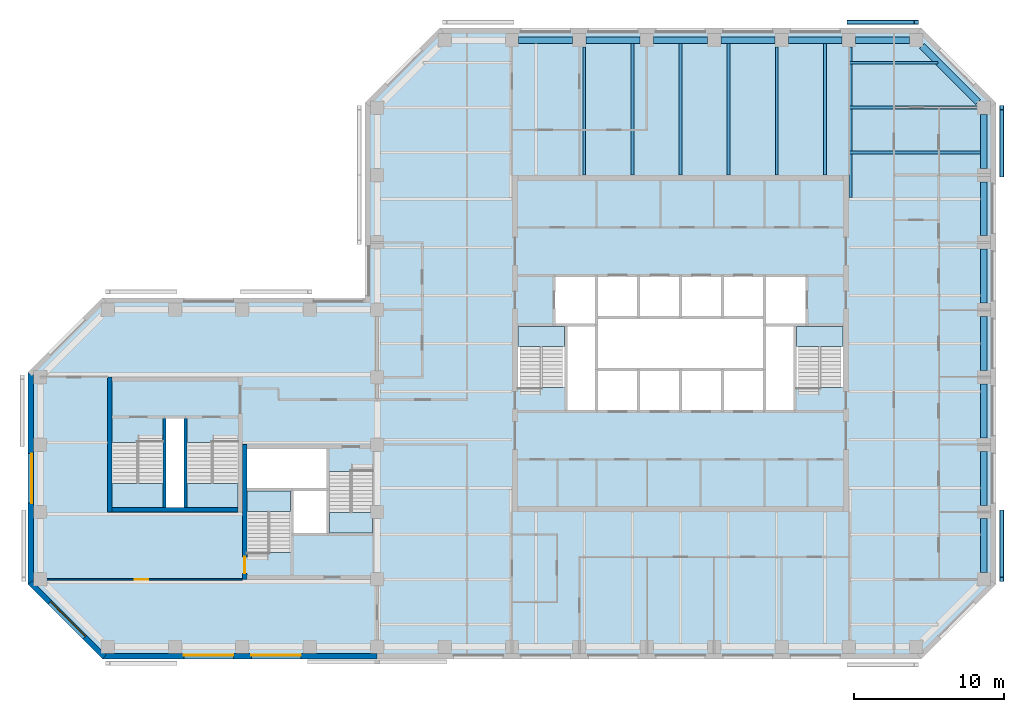
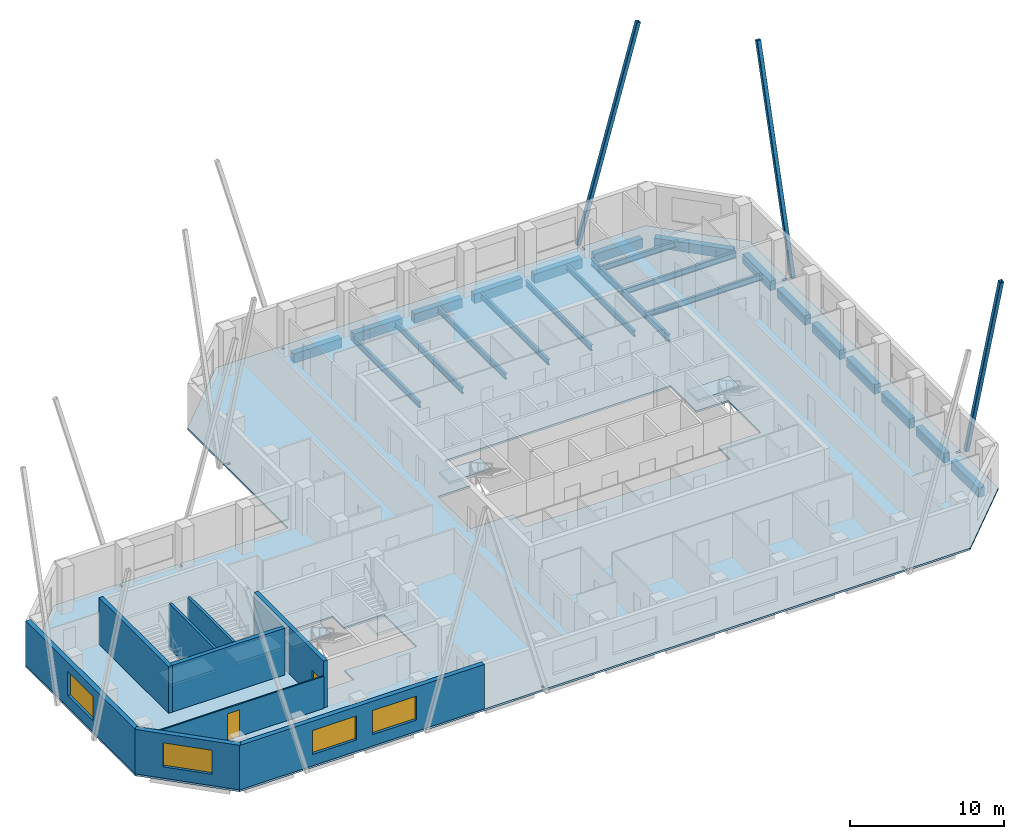
# One storey, part 2 of 9: 24 beams, 9 walls, 7 slabs, 4 windows, 3 members, 2 doors, 6 openings, 6 elements without a shape of their own.
"""IFC4 building model written with IfcOpenShell, lengths in metres."""

import ifcopenshell
import ifcopenshell.guid

model = None  # the IFC model being written
_history = None  # IfcOwnerHistory: only IFC2X3 demands one
_inside = {}  # id of a spatial element -> (the spatial element, [elements in it])
_under = {}  # id of a project, library or spatial element -> (it, [spatial elements below it])
_declared = {}  # id of a project -> (the project, [libraries it declares])
_typed = {}  # id of a type object -> (the type object, [elements of that type])
_made_of = {}  # id of a material, layer set ... -> (it, [elements and type objects made of it])


def new_model(schema):
    """Start an empty IFC model of exactly this schema.

    Asked for "IFC4X3", IfcOpenShell would pick the latest addendum, in which some entities
    have other attributes; the version numbers below select the first issue.
    IFC2X3 requires an IfcOwnerHistory on every rooted entity: one is made here for all.
    """
    global model, _history
    if schema == "IFC4X3":
        model = ifcopenshell.file(schema_version=(4, 3, 0, 0))
    else:
        model = ifcopenshell.file(schema=schema)
    _inside.clear()
    _under.clear()
    _declared.clear()
    _typed.clear()
    _made_of.clear()
    _history = None
    if model.schema == "IFC2X3":
        org = make("IfcOrganization", Name="unknown")
        user = make(
            "IfcPersonAndOrganization",
            ThePerson=make("IfcPerson", FamilyName="unknown"),
            TheOrganization=org,
        )
        app = make(
            "IfcApplication",
            ApplicationDeveloper=org,
            Version="unknown",
            ApplicationFullName="unknown",
            ApplicationIdentifier="unknown",
        )
        _history = make(
            "IfcOwnerHistory",
            OwningUser=user,
            OwningApplication=app,
            ChangeAction="ADDED",
            CreationDate=0,
        )
    return model


def make(cls, **values):
    """One entity of the class cls with the attributes given. An attribute that is None is left unset."""
    return model.create_entity(
        cls, **{name: value for name, value in values.items() if value is not None}
    )


def rooted(cls, **values):
    """An entity with a GlobalId (a new one), such as an element, a storey or a relation."""
    return make(cls, GlobalId=ifcopenshell.guid.new(), OwnerHistory=_history, **values)


def si_unit(unit_type, name, prefix=None):
    """IfcSIUnit, for example si_unit("LENGTHUNIT", "METRE", prefix="MILLI")."""
    return make("IfcSIUnit", UnitType=unit_type, Prefix=prefix, Name=name)


def assignment(units):
    """IfcUnitAssignment: the units of a project."""
    return None if units is None else make("IfcUnitAssignment", Units=units)


def point(xyz):
    """IfcCartesianPoint."""
    return None if xyz is None else make("IfcCartesianPoint", Coordinates=xyz)


def direction(xyz):
    """IfcDirection."""
    return None if xyz is None else make("IfcDirection", DirectionRatios=xyz)


def frame(location, z_axis=None, x_axis=None):
    """IfcAxis2Placement3D, a coordinate frame: its origin and axes. An axis left out is left unset."""
    return make(
        "IfcAxis2Placement3D",
        Location=point(location),
        Axis=direction(z_axis),
        RefDirection=direction(x_axis),
    )


def frame_2d(location, x_axis=None):
    """IfcAxis2Placement2D, a coordinate frame in the plane: its origin and x axis."""
    return make(
        "IfcAxis2Placement2D", Location=point(location), RefDirection=direction(x_axis)
    )


def origin():
    """The frame at (0, 0, 0) with its axes left unset."""
    return frame((0.0, 0.0, 0.0))


def origin_2d():
    """The frame at (0, 0) in the plane with its x axis left unset."""
    return frame_2d((0.0, 0.0))


def place(relative_to, where):
    """IfcLocalPlacement: puts the frame where relative to a parent placement (None: the world)."""
    return make(
        "IfcLocalPlacement", PlacementRelTo=relative_to, RelativePlacement=where
    )


def context(
    kind, dimensions, precision=None, world=None, true_north=None, identifier=None
):
    """IfcGeometricRepresentationContext, for example the 3D "Model" context."""
    return make(
        "IfcGeometricRepresentationContext",
        ContextIdentifier=identifier,
        ContextType=kind,
        CoordinateSpaceDimension=dimensions,
        Precision=precision,
        WorldCoordinateSystem=world,
        TrueNorth=true_north,
    )


def subcontext(parent, identifier, kind, view, scale=None):
    """IfcGeometricRepresentationSubContext, for example "Body" below "Model"."""
    return make(
        "IfcGeometricRepresentationSubContext",
        ContextIdentifier=identifier,
        ContextType=kind,
        ParentContext=parent,
        TargetScale=scale,
        TargetView=view,
    )


def project(units=None, contexts=None):
    """IfcProject with its units and contexts."""
    return rooted(
        "IfcProject",
        Name="project",
        RepresentationContexts=contexts,
        UnitsInContext=assignment(units),
    )


def spatial(cls, under=None, at=None, **own):
    """A site, building, storey or space (cls), placed at a placement, below another one or the project."""
    s = rooted(cls, ObjectPlacement=at, **own)
    if under is not None:
        _under.setdefault(under.id(), (under, []))[1].append(s)
    return s


def polyline(points):
    """IfcPolyline through the points."""
    return make("IfcPolyline", Points=[point(p) for p in points])


def profile(cls, at=None, kind="AREA", **sizes):
    """A parametric profile (cls). Its sizes go by their IFC names, for example OverallWidth=200.0."""
    return make(cls, ProfileType=kind, Position=at, **sizes)


def rectangle(**sizes):
    """IfcRectangleProfileDef."""
    return profile("IfcRectangleProfileDef", **sizes)


def hollow_rectangle(**sizes):
    """IfcRectangleHollowProfileDef."""
    return profile("IfcRectangleHollowProfileDef", **sizes)


def i_section(**sizes):
    """IfcIShapeProfileDef."""
    return profile("IfcIShapeProfileDef", **sizes)


def outline(outer, holes=None, kind="AREA"):
    """IfcArbitraryClosedProfileDef: a profile drawn as a closed curve; with holes, ...WithVoids."""
    if holes is None:
        return make("IfcArbitraryClosedProfileDef", ProfileType=kind, OuterCurve=outer)
    return make(
        "IfcArbitraryProfileDefWithVoids",
        ProfileType=kind,
        OuterCurve=outer,
        InnerCurves=holes,
    )


def extrude(swept, where, along, depth):
    """IfcExtrudedAreaSolid: the profile swept, set in the frame where, extruded along a direction by depth."""
    return make(
        "IfcExtrudedAreaSolid",
        SweptArea=swept,
        Position=where,
        ExtrudedDirection=direction(along),
        Depth=depth,
    )


def shape(context_of_items, identifier, shape_type, items):
    """IfcShapeRepresentation: the items that make up one representation, for example the "Body"."""
    return make(
        "IfcShapeRepresentation",
        ContextOfItems=context_of_items,
        RepresentationIdentifier=identifier,
        RepresentationType=shape_type,
        Items=items,
    )


def material(Name=None, Category=None):
    """IfcMaterial."""
    return make("IfcMaterial", Name=Name, Category=Category)


def layer(
    of_material, thickness, ventilated=None, Name=None, Category=None, Priority=None
):
    """IfcMaterialLayer: one layer of a wall or slab, of a material (None: an air gap)."""
    return make(
        "IfcMaterialLayer",
        Material=of_material,
        LayerThickness=thickness,
        IsVentilated=ventilated,
        Name=Name,
        Category=Category,
        Priority=Priority,
    )


def layer_set(layers, Name=None):
    """IfcMaterialLayerSet."""
    return make("IfcMaterialLayerSet", MaterialLayers=layers, LayerSetName=Name)


def constituent(of_material, Name=None, Category=None, fraction=None):
    """IfcMaterialConstituent: one of the materials an element consists of."""
    return make(
        "IfcMaterialConstituent",
        Name=Name,
        Material=of_material,
        Fraction=fraction,
        Category=Category,
    )


def constituent_set(constituents=None, Name=None):
    """IfcMaterialConstituentSet."""
    return make(
        "IfcMaterialConstituentSet", Name=Name, MaterialConstituents=constituents
    )


def material_profile(
    of_material, cross_section, Name=None, Category=None, Priority=None
):
    """IfcMaterialProfile: a cross section and its material."""
    return make(
        "IfcMaterialProfile",
        Name=Name,
        Material=of_material,
        Profile=cross_section,
        Priority=Priority,
        Category=Category,
    )


def profile_set(profiles, Name=None, composite=None):
    """IfcMaterialProfileSet."""
    return make(
        "IfcMaterialProfileSet",
        Name=Name,
        MaterialProfiles=profiles,
        CompositeProfile=composite,
    )


def made_of(thing, what):
    """Note that an element or type object is made of a material, layer set ...; save() writes the relation."""
    if what is not None:
        _made_of.setdefault(what.id(), (what, []))[1].append(thing)
    return thing


def type_object(cls, material=None, **own):
    """A type object (cls), such as IfcWallType, which elements share."""
    return made_of(rooted(cls, **own), material)


def element(
    cls,
    number,
    at=None,
    inside=None,
    cuts=None,
    type_object=None,
    material=None,
    context=None,
    identifier="Body",
    shape_type=None,
    held_by="IfcProductDefinitionShape",
    body=None,
    shapes=None,
    **own,
):
    """One element of the class cls, such as IfcWall. Its Tag is "e" and its number.

    at: its placement. inside: the storey or other place that contains it. cuts: it is an
    opening in that element (IfcRelVoidsElement). A single representation is given by context,
    identifier, shape_type and body (its items); several are given by shapes. held_by: the class
    of the entity that holds the representations. save() writes the other relations.
    """
    e = rooted(cls, Tag="e%d" % number, ObjectPlacement=at, **own)
    if body is not None:
        shapes = [shape(context, identifier, shape_type, body)]
    if shapes is not None:
        e.Representation = make(held_by, Representations=shapes)
    if inside is not None:
        _inside.setdefault(inside.id(), (inside, []))[1].append(e)
    if cuts is not None:
        rooted(
            "IfcRelVoidsElement", RelatingBuildingElement=cuts, RelatedOpeningElement=e
        )
    if type_object is not None:
        _typed.setdefault(type_object.id(), (type_object, []))[1].append(e)
    return made_of(e, material)


def fill(opening, filler):
    """IfcRelFillsElement: the door or window that sits in an opening."""
    return rooted(
        "IfcRelFillsElement",
        RelatingOpeningElement=opening,
        RelatedBuildingElement=filler,
    )


def aggregate(whole, parts):
    """IfcRelAggregates: a whole, such as a stair, and the parts it consists of."""
    return rooted("IfcRelAggregates", RelatingObject=whole, RelatedObjects=parts)


def save(model, path):
    """Write the relations noted so far, then the file.

    IfcRelAggregates (storeys below a building ...), IfcRelContainedInSpatialStructure (elements
    in a storey), IfcRelDefinesByType, IfcRelAssociatesMaterial and IfcRelDeclares: one each for
    every whole, place, type object, material and project.
    """
    for whole, parts in _under.values():
        aggregate(whole, parts)
    for where, things in _inside.values():
        rooted(
            "IfcRelContainedInSpatialStructure",
            RelatedElements=things,
            RelatingStructure=where,
        )
    for kind, things in _typed.values():
        rooted("IfcRelDefinesByType", RelatedObjects=things, RelatingType=kind)
    for what, things in _made_of.values():
        rooted("IfcRelAssociatesMaterial", RelatedObjects=things, RelatingMaterial=what)
    for by, libraries in _declared.values():
        rooted("IfcRelDeclares", RelatingContext=by, RelatedDefinitions=libraries)
    model.write(path)


model = new_model("IFC4")

# Units and contexts
model_context = context("Model", 3, precision=1e-05, world=origin(), true_north=direction((0.0, 1.0)))
body_context = subcontext(model_context, "Body", "Model", "MODEL_VIEW")
ifc_project = project(units=[si_unit("LENGTHUNIT", "METRE"), si_unit("AREAUNIT", "SQUARE_METRE"), si_unit("VOLUMEUNIT", "CUBIC_METRE"), si_unit("PLANEANGLEUNIT", "RADIAN"), si_unit("MASSUNIT", "GRAM", prefix="KILO")], contexts=[model_context])

# Site, building, storey
site_placement = place(None, origin())
site = spatial("IfcSite", under=ifc_project, at=site_placement, CompositionType="ELEMENT")
building_placement = place(site_placement, origin())
building = spatial("IfcBuilding", under=site, at=building_placement, Name="Quoin Convention Tower", CompositionType="ELEMENT")
storey_placement = place(building_placement, frame((0.0, 0.0, 203.199951171875)))
storey = spatial("IfcBuildingStorey", under=building, at=storey_placement, Name="L53", CompositionType="ELEMENT", Elevation=203.199951171875)

# Beams
ifc_material_1 = material(Name="Steel Grade 300", Category="steel")
ifc_material_profile_1 = material_profile(ifc_material_1, i_section(OverallWidth=0.18994140625, OverallDepth=0.4541015625, WebThickness=0.008544921875, FlangeThickness=0.0126953125, FilletRadius=0.011474609375, at=origin_2d()), Name="460UB67.1")
ifc_profile_set_1 = profile_set([ifc_material_profile_1], Name="Steel Grade 300")
beam_type_1 = type_object("IfcBeamType", Name="460UB67.1", PredefinedType="BEAM", material=ifc_profile_set_1)
beam_1_placement = place(storey_placement, frame((49.8212890625, 72.0, -0.376953125), z_axis=(0.0, 1.0, 0.0), x_axis=(-1.0, 0.0, 0.0)))
element("IfcBeam", 1, at=beam_1_placement, inside=storey, type_object=beam_type_1, Name="bm-L53-T1N1", PredefinedType="BEAM", context=body_context, shape_type="SweptSolid", body=[
    extrude(i_section(OverallWidth=0.18994140625, OverallDepth=0.4541015625, WebThickness=0.008544921875, FlangeThickness=0.0126953125, FilletRadius=0.011474609375, at=origin_2d()), origin(), (0.0, 0.0, 1.0), 8.550048828125),
])
for number, where, z_axis, x_axis, name in (
    (2, (53.03564453125, 72.0, -0.376953125), (0.0, 1.0, 0.0), (-1.0, 0.0, 0.0), "bm-L53-T1N2"),
    (3, (56.25, 72.0, -0.376953125), (0.0, 1.0, 0.0), (-1.0, 0.0, 0.0), "bm-L53-T1N3"),
    (4, (59.46435546875, 72.0, -0.376953125), (0.0, 1.0, 0.0), (-1.0, 0.0, 0.0), "bm-L53-T1N4"),
):
    element("IfcBeam", number, at=place(storey_placement, frame(where, z_axis=z_axis, x_axis=x_axis)), inside=storey, type_object=beam_type_1, Name=name, PredefinedType="BEAM", context=body_context, shape_type="SweptSolid", body=[
        extrude(i_section(OverallWidth=0.18994140625, OverallDepth=0.4541015625, WebThickness=0.008544921875, FlangeThickness=0.0126953125, FilletRadius=0.011474609375, at=origin_2d()), origin(), (0.0, 0.0, 1.0), 8.77490234375),
    ])
beam_2_placement = place(storey_placement, frame((62.6787109375, 72.0, -0.376953125), z_axis=(0.0, 1.0, 0.0), x_axis=(-1.0, 0.0, 0.0)))
element("IfcBeam", 5, at=beam_2_placement, inside=storey, type_object=beam_type_1, Name="bm-L53-T1N5", PredefinedType="BEAM", context=body_context, shape_type="SweptSolid", body=[
    extrude(i_section(OverallWidth=0.18994140625, OverallDepth=0.4541015625, WebThickness=0.008544921875, FlangeThickness=0.0126953125, FilletRadius=0.011474609375, at=origin_2d()), origin(), (0.0, 0.0, 1.0), 8.550048828125),
])
beam_3_placement = place(storey_placement, frame((65.892822265625, 72.0, -0.376953125), z_axis=(0.0, 1.0, 0.0), x_axis=(-1.0, 0.0, 0.0)))
element("IfcBeam", 6, at=beam_3_placement, inside=storey, type_object=beam_type_1, Name="bm-L53-T1N6", PredefinedType="BEAM", context=body_context, shape_type="SweptSolid", body=[
    extrude(i_section(OverallWidth=0.18994140625, OverallDepth=0.4541015625, WebThickness=0.008544921875, FlangeThickness=0.0126953125, FilletRadius=0.011474609375, at=origin_2d()), origin(), (0.0, 0.0, 1.0), 8.77490234375),
])
beam_4_placement = place(storey_placement, frame((67.5, 79.5, -0.376953125), z_axis=(1.0, 0.0, 0.0), x_axis=(0.0, 1.0, 0.0)))
element("IfcBeam", 7, at=beam_4_placement, inside=storey, type_object=beam_type_1, Name="bm-L53-T1NE0", PredefinedType="BEAM", context=body_context, shape_type="SweptSolid", body=[
    extrude(i_section(OverallWidth=0.18994140625, OverallDepth=0.4541015625, WebThickness=0.008544921875, FlangeThickness=0.0126953125, FilletRadius=0.011474609375, at=origin_2d()), origin(), (0.0, 0.0, 1.0), 5.935791015625),
])
beam_5_placement = place(storey_placement, frame((67.5, 76.5, -0.376953125), z_axis=(1.0, 0.0, 0.0), x_axis=(0.0, 1.0, 0.0)))
element("IfcBeam", 8, at=beam_5_placement, inside=storey, type_object=beam_type_1, Name="bm-L53-T1NE1", PredefinedType="BEAM", context=body_context, shape_type="SweptSolid", body=[
    extrude(i_section(OverallWidth=0.18994140625, OverallDepth=0.4541015625, WebThickness=0.008544921875, FlangeThickness=0.0126953125, FilletRadius=0.011474609375, at=origin_2d()), origin(), (0.0, 0.0, 1.0), 8.550048828125),
])
beam_6_placement = place(storey_placement, frame((67.5, 73.5, -0.376953125), z_axis=(1.0, 0.0, 0.0), x_axis=(0.0, 1.0, 0.0)))
element("IfcBeam", 9, at=beam_6_placement, inside=storey, type_object=beam_type_1, Name="bm-L53-T1NE2", PredefinedType="BEAM", context=body_context, shape_type="SweptSolid", body=[
    extrude(i_section(OverallWidth=0.18994140625, OverallDepth=0.4541015625, WebThickness=0.008544921875, FlangeThickness=0.0126953125, FilletRadius=0.011474609375, at=origin_2d()), origin(), (0.0, 0.0, 1.0), 8.77490234375),
])
ifc_material_profile_2 = material_profile(ifc_material_1, i_section(OverallWidth=0.208984375, OverallDepth=0.528076171875, WebThickness=0.009521484375, FlangeThickness=0.01318359375, FilletRadius=0.013916015625, at=origin_2d()), Name="530UB82.0")
ifc_profile_set_2 = profile_set([ifc_material_profile_2], Name="Steel Grade 300")
beam_type_2 = type_object("IfcBeamType", Name="530UB82.0", PredefinedType="BEAM", material=ifc_profile_set_2)
beam_7_placement = place(storey_placement, frame((67.595458984375, 80.550048828125, -0.4140625), z_axis=(0.0, -1.0, 0.0), x_axis=(1.0, 0.0, 0.0)))
element("IfcBeam", 10, at=beam_7_placement, inside=storey, type_object=beam_type_2, Name="gir-L53-T1NE", PredefinedType="BEAM", context=body_context, shape_type="SweptSolid", body=[
    extrude(i_section(OverallWidth=0.208984375, OverallDepth=0.528076171875, WebThickness=0.009521484375, FlangeThickness=0.01318359375, FilletRadius=0.013916015625, at=origin_2d()), origin(), (0.0, 0.0, 1.0), 10.062255859375),
])

# Members
ifc_material_2 = material(Name="Steel C450L0", Category="steel")
ifc_material_profile_3 = material_profile(ifc_material_2, hollow_rectangle(XDim=0.300048828125, YDim=0.300048828125, WallThickness=0.012451171875, InnerFilletRadius=0.018798828125, OuterFilletRadius=0.03125, at=origin_2d()), Name="300x300x12.5SHS")
ifc_profile_set_3 = profile_set([ifc_material_profile_3], Name="Steel C450L0")
member_type = type_object("IfcMemberType", Name="Exposed brace 300x300x12.5SHS", PredefinedType="BRACE", material=ifc_profile_set_3)
for number, where, z_axis, x_axis, name in (
    (11, (67.5, 82.199951171875, -0.074951171875), (0.26918462026, 0.0, 0.963088594167), (0.0, 1.0, 0.0), "brc-L53-72000_81000-67500_81000"),
    (12, (77.699951171875, 49.5, -0.074951171875), (0.0, -0.26918462026, 0.963088594167), (1.0, 0.0, 0.0), "brc-L53-76500_45000-76500_49500"),
    (13, (77.699951171875, 72.0, -0.074951171875), (0.0, 0.26918462026, 0.963088594167), (-1.0, 0.0, 0.0), "brc-L53-76500_72000-76500_76500"),
):
    element("IfcMember", number, at=place(storey_placement, frame(where, z_axis=z_axis, x_axis=x_axis)), inside=storey, type_object=member_type, Name=name, PredefinedType="BRACE", context=body_context, shape_type="SweptSolid", body=[
        extrude(hollow_rectangle(XDim=0.300048828125, YDim=0.300048828125, WallThickness=0.012451171875, InnerFilletRadius=0.018798828125, OuterFilletRadius=0.03125, at=origin_2d()), origin(), (0.0, 0.0, 1.0), 16.717041015625),
    ])

# Beams
ifc_material_3 = material(Name="Concrete C50", Category="concrete")
ifc_material_profile_4 = material_profile(ifc_material_3, rectangle(XDim=0.449951171875, YDim=0.75, at=origin_2d()), Name="RC 450x750")
ifc_profile_set_4 = profile_set([ifc_material_profile_4], Name="Concrete C50")
beam_type_3 = type_object("IfcBeamType", Name="RC 450x750 C50", PredefinedType="SPANDREL", material=ifc_profile_set_4)
for number, where, z_axis, x_axis, name in (
    (14, (76.5, 45.449951171875, -0.52490234375), (0.0, 1.0, 0.0), (-1.0, 0.0, 0.0), "spd-L53-76500_45000-76500_49500"),
    (15, (76.5, 49.949951171875, -0.52490234375), (0.0, 1.0, 0.0), (-1.0, 0.0, 0.0), "spd-L53-76500_49500-76500_54000"),
    (16, (76.5, 54.449951171875, -0.52490234375), (0.0, 1.0, 0.0), (-1.0, 0.0, 0.0), "spd-L53-76500_54000-76500_58500"),
    (17, (76.5, 58.949951171875, -0.52490234375), (0.0, 1.0, 0.0), (-1.0, 0.0, 0.0), "spd-L53-76500_58500-76500_63000"),
    (18, (76.5, 63.449951171875, -0.52490234375), (0.0, 1.0, 0.0), (-1.0, 0.0, 0.0), "spd-L53-76500_63000-76500_67500"),
    (19, (76.5, 67.949951171875, -0.52490234375), (0.0, 1.0, 0.0), (-1.0, 0.0, 0.0), "spd-L53-76500_67500-76500_72000"),
    (20, (76.5, 72.449951171875, -0.52490234375), (0.0, 1.0, 0.0), (-1.0, 0.0, 0.0), "spd-L53-76500_72000-76500_76500"),
):
    element("IfcBeam", number, at=place(storey_placement, frame(where, z_axis=z_axis, x_axis=x_axis)), inside=storey, type_object=beam_type_3, Name=name, PredefinedType="SPANDREL", context=body_context, shape_type="SweptSolid", body=[
        extrude(rectangle(XDim=0.449951171875, YDim=0.75, at=origin_2d()), origin(), (0.0, 0.0, 1.0), 3.60009765625),
    ])
beam_8_placement = place(storey_placement, frame((76.135009765625, 76.864990234375, -0.52490234375), z_axis=(-0.707106781187, 0.707106781187, 0.0), x_axis=(-0.707106781187, -0.707106781187, 0.0)))
element("IfcBeam", 21, at=beam_8_placement, inside=storey, type_object=beam_type_3, Name="spd-L53-76500_76500-72000_81000", PredefinedType="SPANDREL", context=body_context, shape_type="SweptSolid", body=[
    extrude(rectangle(XDim=0.449951171875, YDim=0.75, at=origin_2d()), origin(), (0.0, 0.0, 1.0), 5.33154296875),
])
for number, where, z_axis, x_axis, name in (
    (22, (71.550048828125, 81.0, -0.52490234375), (-1.0, 0.0, 0.0), (0.0, -1.0, 0.0), "spd-L53-72000_81000-67500_81000"),
    (23, (67.050048828125, 81.0, -0.52490234375), (-1.0, 0.0, 0.0), (0.0, -1.0, 0.0), "spd-L53-67500_81000-63000_81000"),
    (24, (62.550048828125, 81.0, -0.52490234375), (-1.0, 0.0, 0.0), (0.0, -1.0, 0.0), "spd-L53-63000_81000-58500_81000"),
    (25, (58.050048828125, 81.0, -0.52490234375), (-1.0, 0.0, 0.0), (0.0, -1.0, 0.0), "spd-L53-58500_81000-54000_81000"),
    (26, (53.550048828125, 81.0, -0.52490234375), (-1.0, 0.0, 0.0), (0.0, -1.0, 0.0), "spd-L53-54000_81000-49500_81000"),
    (27, (49.050048828125, 81.0, -0.52490234375), (-1.0, 0.0, 0.0), (0.0, -1.0, 0.0), "spd-L53-49500_81000-45000_81000"),
):
    element("IfcBeam", number, at=place(storey_placement, frame(where, z_axis=z_axis, x_axis=x_axis)), inside=storey, type_object=beam_type_3, Name=name, PredefinedType="SPANDREL", context=body_context, shape_type="SweptSolid", body=[
        extrude(rectangle(XDim=0.449951171875, YDim=0.75, at=origin_2d()), origin(), (0.0, 0.0, 1.0), 3.60009765625),
    ])

# Slab
ifc_material_4 = material(Name="Concrete C40", Category="concrete")
ifc_layer_1 = layer(ifc_material_4, 0.14990234375)
ifc_layer_set_1 = layer_set([ifc_layer_1], Name="Concrete C40")
slab_type_1 = type_object("IfcSlabType", Name="COMPOSITE SLAB 150 C40", PredefinedType="FLOOR", material=ifc_layer_set_1)
slab_1_placement = place(storey_placement, frame((0.0, 0.0, -0.14990234375)))
element("IfcSlab", 28, at=slab_1_placement, inside=storey, type_object=slab_type_1, Name="slb-L53", PredefinedType="FLOOR", context=body_context, shape_type="SweptSolid", body=[
    extrude(outline(polyline([(12.699951171875, 44.668701171875), (12.699951171875, 49.405029296875), (13.070068359375, 49.405029296875), (13.070068359375, 49.594970703125), (12.699951171875, 49.594970703125), (12.699951171875, 53.905029296875), (13.070068359375, 53.905029296875), (13.070068359375, 54.094970703125), (12.699951171875, 54.094970703125), (12.699951171875, 58.831298828125), (17.668701171875, 63.800048828125), (22.405029296875, 63.800048828125), (22.405029296875, 63.429931640625), (22.594970703125, 63.429931640625), (22.594970703125, 63.800048828125), (26.905029296875, 63.800048828125), (26.905029296875, 63.429931640625), (27.094970703125, 63.429931640625), (27.094970703125, 63.800048828125), (35.199951171875, 63.800048828125), (35.199951171875, 71.905029296875), (35.570068359375, 71.905029296875), (35.570068359375, 72.094970703125), (35.199951171875, 72.094970703125), (35.199951171875, 76.831298828125), (40.168701171875, 81.800048828125), (44.905029296875, 81.800048828125), (44.905029296875, 81.429931640625), (45.094970703125, 81.429931640625), (45.094970703125, 81.800048828125), (67.405029296875, 81.800048828125), (67.405029296875, 81.429931640625), (67.594970703125, 81.429931640625), (67.594970703125, 81.800048828125), (72.331298828125, 81.800048828125), (77.300048828125, 76.831298828125), (77.300048828125, 72.094970703125), (76.929931640625, 72.094970703125), (76.929931640625, 71.905029296875), (77.300048828125, 71.905029296875), (77.300048828125, 49.594970703125), (76.929931640625, 49.594970703125), (76.929931640625, 49.405029296875), (77.300048828125, 49.405029296875), (77.300048828125, 44.668701171875), (72.331298828125, 39.699951171875), (67.594970703125, 39.699951171875), (67.594970703125, 40.070068359375), (67.405029296875, 40.070068359375), (67.405029296875, 39.699951171875), (40.594970703125, 39.699951171875), (40.594970703125, 40.070068359375), (40.405029296875, 40.070068359375), (40.405029296875, 39.699951171875), (31.594970703125, 39.699951171875), (31.594970703125, 40.070068359375), (31.405029296875, 40.070068359375), (31.405029296875, 39.699951171875), (22.594970703125, 39.699951171875), (22.594970703125, 40.070068359375), (22.405029296875, 40.070068359375), (22.405029296875, 39.699951171875), (17.668701171875, 39.699951171875), (12.699951171875, 44.668701171875)]), holes=[polyline([(27.300048828125, 46.800537109375), (30.300048828125, 46.800537109375), (30.300048828125, 48.0), (32.699951171875, 48.0), (35.699951171875, 48.0), (35.699951171875, 52.199462890625), (32.699951171875, 52.199462890625), (32.699951171875, 53.699951171875), (27.300048828125, 53.699951171875), (27.300048828125, 51.0), (27.300048828125, 46.800537109375)]), polyline([(21.800048828125, 49.800048828125), (23.199951171875, 49.800048828125), (26.699951171875, 49.800048828125), (26.699951171875, 54.1494140625), (23.199951171875, 54.1494140625), (23.199951171875, 55.85009765625), (21.800048828125, 55.85009765625), (21.800048828125, 54.1494140625), (18.300048828125, 54.1494140625), (18.300048828125, 49.800048828125), (21.800048828125, 49.800048828125)]), polyline([(50.64990234375, 56.199951171875), (53.449951171875, 56.199951171875), (56.25, 56.199951171875), (59.050048828125, 56.199951171875), (61.85009765625, 56.199951171875), (63.89990234375, 56.199951171875), (63.89990234375, 57.800537109375), (67.10009765625, 57.800537109375), (67.10009765625, 62.0), (64.699951171875, 62.0), (64.699951171875, 65.300048828125), (61.85009765625, 65.300048828125), (59.050048828125, 65.300048828125), (56.25, 65.300048828125), (53.449951171875, 65.300048828125), (50.64990234375, 65.300048828125), (47.800048828125, 65.300048828125), (47.800048828125, 62.0), (45.39990234375, 62.0), (45.39990234375, 57.800537109375), (48.60009765625, 57.800537109375), (48.60009765625, 56.199951171875), (50.64990234375, 56.199951171875)])]), origin(), (0.0, 0.0, 1.0), 0.14990234375),
])

# Stair, slab
stair_type_1 = type_object("IfcStairType", Name="Exit stair two-flight 1350", PredefinedType="HALF_TURN_STAIR", material=ifc_material_4)
stair_1_placement = place(storey_placement, origin())
stair_1 = element("IfcStair", 29, at=stair_1_placement, inside=storey, type_object=stair_type_1, Name="SD1 L53", PredefinedType="HALF_TURN_STAIR")
ifc_layer_2 = layer(ifc_material_4, 0.199951171875)
ifc_layer_set_2 = layer_set([ifc_layer_2], Name="Concrete C40")
slab_type_2 = type_object("IfcSlabType", Name="Stair landing 200", PredefinedType="LANDING", material=ifc_layer_set_2)
slab_2_placement = place(storey_placement, frame((0.0, 0.0, 1.792236328125)))
slab_2 = element("IfcSlab", 30, at=slab_2_placement, type_object=slab_type_2, Name="ST1 landing 1", PredefinedType="LANDING", context=body_context, shape_type="SweptSolid", body=[
    extrude(outline(polyline([(45.39990234375, 60.550048828125), (48.5, 60.550048828125), (48.5, 61.89990234375), (45.39990234375, 61.89990234375), (45.39990234375, 60.550048828125)])), origin(), (0.0, 0.0, 1.0), 0.2001953125),
])
aggregate(stair_1, [slab_2])

stair_2_placement = place(storey_placement, origin())
stair_2 = element("IfcStair", 31, at=stair_2_placement, inside=storey, type_object=stair_type_1, Name="SD2 L53", PredefinedType="HALF_TURN_STAIR")
slab_3_placement = place(storey_placement, frame((0.0, 0.0, 1.792236328125)))
slab_3 = element("IfcSlab", 32, at=slab_3_placement, type_object=slab_type_2, Name="ST2 landing 1", PredefinedType="LANDING", context=body_context, shape_type="SweptSolid", body=[
    extrude(outline(polyline([(64.0, 60.550048828125), (67.10009765625, 60.550048828125), (67.10009765625, 61.89990234375), (64.0, 61.89990234375), (64.0, 60.550048828125)])), origin(), (0.0, 0.0, 1.0), 0.2001953125),
])
aggregate(stair_2, [slab_3])

stair_3_placement = place(storey_placement, origin())
stair_3 = element("IfcStair", 33, at=stair_3_placement, inside=storey, type_object=stair_type_1, Name="SD3 L53", PredefinedType="HALF_TURN_STAIR")
slab_4_placement = place(storey_placement, frame((0.0, 0.0, 1.792236328125)))
slab_4 = element("IfcSlab", 34, at=slab_4_placement, type_object=slab_type_2, Name="ST3 landing 1", PredefinedType="LANDING", context=body_context, shape_type="SweptSolid", body=[
    extrude(outline(polyline([(27.300048828125, 49.550048828125), (30.199951171875, 49.550048828125), (30.199951171875, 50.89990234375), (27.300048828125, 50.89990234375), (27.300048828125, 49.550048828125)])), origin(), (0.0, 0.0, 1.0), 0.2001953125),
])
aggregate(stair_3, [slab_4])

stair_4_placement = place(storey_placement, origin())
stair_4 = element("IfcStair", 35, at=stair_4_placement, inside=storey, type_object=stair_type_1, Name="SD4 L53", PredefinedType="HALF_TURN_STAIR")
slab_5_placement = place(storey_placement, frame((0.0, 0.0, 1.792236328125)))
slab_5 = element("IfcSlab", 36, at=slab_5_placement, type_object=slab_type_2, Name="ST4 landing 1", PredefinedType="LANDING", context=body_context, shape_type="SweptSolid", body=[
    extrude(outline(polyline([(35.699951171875, 49.449951171875), (32.800048828125, 49.449951171875), (32.800048828125, 48.10009765625), (35.699951171875, 48.10009765625), (35.699951171875, 49.449951171875)])), origin(), (0.0, 0.0, 1.0), 0.2001953125),
])
aggregate(stair_4, [slab_5])

stair_type_2 = type_object("IfcStairType", Name="Exit stair two-flight 1600", PredefinedType="HALF_TURN_STAIR", material=ifc_material_4)
stair_5_placement = place(storey_placement, origin())
stair_5 = element("IfcStair", 37, at=stair_5_placement, inside=storey, type_object=stair_type_2, Name="SD11 L53", PredefinedType="HALF_TURN_STAIR")
slab_6_placement = place(storey_placement, frame((0.0, 0.0, 1.792236328125)))
slab_6 = element("IfcSlab", 38, at=slab_6_placement, type_object=slab_type_2, Name="ST11 landing 1", PredefinedType="LANDING", context=body_context, shape_type="SweptSolid", body=[
    extrude(outline(polyline([(21.699951171875, 51.39990234375), (18.300048828125, 51.39990234375), (18.300048828125, 49.800048828125), (21.699951171875, 49.800048828125), (21.699951171875, 51.39990234375)])), origin(), (0.0, 0.0, 1.0), 0.2001953125),
])
aggregate(stair_5, [slab_6])

stair_6_placement = place(storey_placement, origin())
stair_6 = element("IfcStair", 39, at=stair_6_placement, inside=storey, type_object=stair_type_2, Name="SD12 L53", PredefinedType="HALF_TURN_STAIR")
slab_7_placement = place(storey_placement, frame((0.0, 0.0, 1.792236328125)))
slab_7 = element("IfcSlab", 40, at=slab_7_placement, type_object=slab_type_2, Name="ST12 landing 1", PredefinedType="LANDING", context=body_context, shape_type="SweptSolid", body=[
    extrude(outline(polyline([(26.699951171875, 51.39990234375), (23.300048828125, 51.39990234375), (23.300048828125, 49.800048828125), (26.699951171875, 49.800048828125), (26.699951171875, 51.39990234375)])), origin(), (0.0, 0.0, 1.0), 0.2001953125),
])
aggregate(stair_6, [slab_7])

# Wall, opening, window
ifc_material_5 = material(Name="Brick masonry", Category="masonry")
ifc_layer_3 = layer(ifc_material_5, 0.35009765625)
ifc_layer_set_3 = layer_set([ifc_layer_3], Name="Brick masonry")
wall_type_1 = type_object("IfcWallType", Name="Brick facade wall", PredefinedType="STANDARD", material=ifc_layer_set_3)
wall_1_placement = place(storey_placement, frame((12.875, 58.831298828125, 0.0), z_axis=(0.0, 0.0, 1.0), x_axis=(0.0, -1.0, 0.0)))
wall_1 = element("IfcWall", 41, at=wall_1_placement, inside=storey, type_object=wall_type_1, Name="fw-L53-13500_58500", PredefinedType="STANDARD", context=body_context, shape_type="SweptSolid", body=[
    extrude(rectangle(XDim=14.16259765625, YDim=0.35009765625, at=frame_2d((7.081298828125, 0.0))), origin(), (0.0, 0.0, 1.0), 3.525146484375),
])
opening_1_placement = place(wall_1_placement, frame((5.431396484375, 0.0, 0.89990234375)))
opening_1 = element("IfcOpeningElement", 42, at=opening_1_placement, cuts=wall_1, Name="Opening W-02", PredefinedType="OPENING", context=body_context, shape_type="SweptSolid", body=[
    extrude(rectangle(XDim=3.300048828125, YDim=1.89990234375, at=frame_2d((1.64990234375, 0.949951171875))), frame((0.0, 0.18505859375, 0.0), z_axis=(0.0, -1.0, 0.0), x_axis=(1.0, 0.0, 0.0)), (0.0, 0.0, 1.0), 0.3701171875),
])
ifc_material_6 = material(Name="Aluminium", Category="aluminium")
ifc_constituent_1 = constituent(ifc_material_6, Name="Frame")
ifc_material_7 = material(Name="Insulated glass", Category="glass")
ifc_constituent_2 = constituent(ifc_material_7, Name="Glazing")
ifc_constituent_set = constituent_set(constituents=[ifc_constituent_1, ifc_constituent_2], Name="Aluminium")
window_type = type_object("IfcWindowType", Name="Office window", PartitioningType="DOUBLE_PANEL_VERTICAL", PredefinedType="WINDOW", material=ifc_constituent_set)
window_1_placement = place(opening_1_placement, origin())
window_1 = element("IfcWindow", 43, at=window_1_placement, inside=storey, type_object=window_type, Name="win-L53-12875_51750", OverallHeight=1.89990234375, OverallWidth=3.300048828125, PartitioningType="SINGLE_PANEL", PredefinedType="WINDOW", context=body_context, shape_type="SweptSolid", body=[
    extrude(rectangle(XDim=3.300048828125, YDim=1.89990234375, at=frame_2d((1.64990234375, 0.949951171875))), frame((0.0, 0.0849609375, 0.0), z_axis=(0.0, -1.0, 0.0), x_axis=(1.0, 0.0, 0.0)), (0.0, 0.0, 1.0), 0.06005859375),
])
fill(opening_1, window_1)

wall_2_placement = place(storey_placement, frame((12.82373046875, 44.79248046875, 0.0), z_axis=(0.0, 0.0, 1.0), x_axis=(0.707106781187, -0.707106781187, 0.0)))
wall_2 = element("IfcWall", 44, at=wall_2_placement, inside=storey, type_object=wall_type_1, Name="fw-L53-13500_45000", PredefinedType="STANDARD", context=body_context, shape_type="SweptSolid", body=[
    extrude(rectangle(XDim=7.02685546875, YDim=0.35009765625, at=frame_2d((3.513427734375, 0.0))), origin(), (0.0, 0.0, 1.0), 3.525146484375),
])
opening_2_placement = place(wall_2_placement, frame((1.86328125, 0.0, 0.89990234375)))
opening_2 = element("IfcOpeningElement", 45, at=opening_2_placement, cuts=wall_2, Name="Opening W-02", PredefinedType="OPENING", context=body_context, shape_type="SweptSolid", body=[
    extrude(rectangle(XDim=3.300048828125, YDim=1.89990234375, at=frame_2d((1.64990234375, 0.949951171875))), frame((0.0, 0.18505859375, 0.0), z_axis=(0.0, -1.0, 0.0), x_axis=(1.0, 0.0, 0.0)), (0.0, 0.0, 1.0), 0.3701171875),
])
window_2_placement = place(opening_2_placement, origin())
window_2 = element("IfcWindow", 46, at=window_2_placement, inside=storey, type_object=window_type, Name="win-L53-15308_42308", OverallHeight=1.89990234375, OverallWidth=3.300048828125, PartitioningType="SINGLE_PANEL", PredefinedType="WINDOW", context=body_context, shape_type="SweptSolid", body=[
    extrude(rectangle(XDim=3.300048828125, YDim=1.89990234375, at=frame_2d((1.64990234375, 0.949951171875))), frame((0.0, 0.0849609375, 0.0), z_axis=(0.0, -1.0, 0.0), x_axis=(1.0, 0.0, 0.0)), (0.0, 0.0, 1.0), 0.06005859375),
])
fill(opening_2, window_2)

# Wall, openings, windows
wall_3_placement = place(storey_placement, frame((17.668701171875, 39.875, 0.0), z_axis=(0.0, 0.0, 1.0), x_axis=(1.0, 0.0, 0.0)))
wall_3 = element("IfcWall", 47, at=wall_3_placement, inside=storey, type_object=wall_type_1, Name="fw-L53-18000_40500", PredefinedType="STANDARD", context=body_context, shape_type="SweptSolid", body=[
    extrude(rectangle(XDim=18.331298828125, YDim=0.35009765625, at=frame_2d((9.16552734375, 0.0))), origin(), (0.0, 0.0, 1.0), 3.525146484375),
])
opening_3_placement = place(wall_3_placement, frame((5.431396484375, 0.0, 0.89990234375)))
opening_3 = element("IfcOpeningElement", 48, at=opening_3_placement, cuts=wall_3, Name="Opening W-02", PredefinedType="OPENING", context=body_context, shape_type="SweptSolid", body=[
    extrude(rectangle(XDim=3.300048828125, YDim=1.89990234375, at=frame_2d((1.64990234375, 0.949951171875))), frame((0.0, 0.18505859375, 0.0), z_axis=(0.0, -1.0, 0.0), x_axis=(1.0, 0.0, 0.0)), (0.0, 0.0, 1.0), 0.3701171875),
])
opening_4_placement = place(wall_3_placement, frame((9.931396484375, 0.0, 0.89990234375)))
opening_4 = element("IfcOpeningElement", 49, at=opening_4_placement, cuts=wall_3, Name="Opening W-02", PredefinedType="OPENING", context=body_context, shape_type="SweptSolid", body=[
    extrude(rectangle(XDim=3.300048828125, YDim=1.89990234375, at=frame_2d((1.64990234375, 0.949951171875))), frame((0.0, 0.18505859375, 0.0), z_axis=(0.0, -1.0, 0.0), x_axis=(1.0, 0.0, 0.0)), (0.0, 0.0, 1.0), 0.3701171875),
])
window_3_placement = place(opening_3_placement, origin())
window_3 = element("IfcWindow", 50, at=window_3_placement, inside=storey, type_object=window_type, Name="win-L53-24750_39875", OverallHeight=1.89990234375, OverallWidth=3.300048828125, PartitioningType="SINGLE_PANEL", PredefinedType="WINDOW", context=body_context, shape_type="SweptSolid", body=[
    extrude(rectangle(XDim=3.300048828125, YDim=1.89990234375, at=frame_2d((1.64990234375, 0.949951171875))), frame((0.0, 0.0849609375, 0.0), z_axis=(0.0, -1.0, 0.0), x_axis=(1.0, 0.0, 0.0)), (0.0, 0.0, 1.0), 0.06005859375),
])
fill(opening_3, window_3)
window_4_placement = place(opening_4_placement, origin())
window_4 = element("IfcWindow", 51, at=window_4_placement, inside=storey, type_object=window_type, Name="win-L53-29250_39875", OverallHeight=1.89990234375, OverallWidth=3.300048828125, PartitioningType="SINGLE_PANEL", PredefinedType="WINDOW", context=body_context, shape_type="SweptSolid", body=[
    extrude(rectangle(XDim=3.300048828125, YDim=1.89990234375, at=frame_2d((1.64990234375, 0.949951171875))), frame((0.0, 0.0849609375, 0.0), z_axis=(0.0, -1.0, 0.0), x_axis=(1.0, 0.0, 0.0)), (0.0, 0.0, 1.0), 0.06005859375),
])
fill(opening_4, window_4)

# Walls
ifc_layer_4 = layer(ifc_material_3, 0.199951171875)
ifc_layer_set_4 = layer_set([ifc_layer_4], Name="Concrete C50")
wall_type_2 = type_object("IfcWallType", Name="Core shaft wall", PredefinedType="SOLIDWALL", material=ifc_layer_set_4)
for number, where, z_axis, x_axis, name in (
    (52, (21.800048828125, 49.800048828125, 0.0), (0.0, 0.0, 1.0), (0.0, 1.0, 0.0), "cr-P6-L53-v3800_300"),
    (53, (23.199951171875, 49.800048828125, 0.0), (0.0, 0.0, 1.0), (0.0, 1.0, 0.0), "cr-P6-L53-v5200_300"),
):
    element("IfcWall", number, at=place(storey_placement, frame(where, z_axis=z_axis, x_axis=x_axis)), inside=storey, type_object=wall_type_2, Name=name, PredefinedType="SOLIDWALL", context=body_context, shape_type="SweptSolid", body=[
        extrude(rectangle(XDim=6.050048828125, YDim=0.199951171875, at=frame_2d((3.02490234375, 0.0))), origin(), (0.0, 0.0, 1.0), 3.550048828125),
    ])

# Wall, opening, door
ifc_layer_5 = layer(ifc_material_3, 0.300048828125)
ifc_layer_set_5 = layer_set([ifc_layer_5], Name="Concrete C50")
wall_type_3 = type_object("IfcWallType", Name="RC CORE WALL 300 C50", PredefinedType="SHEAR", material=ifc_layer_set_5)
wall_4_placement = place(storey_placement, frame((27.14990234375, 45.0, 0.0), z_axis=(0.0, 0.0, 1.0), x_axis=(0.0, 1.0, 0.0)))
wall_4 = element("IfcWall", 54, at=wall_4_placement, inside=storey, type_object=wall_type_3, Name="cwl-P2-L53-W", PredefinedType="SHEAR", context=body_context, shape_type="SweptSolid", body=[
    extrude(rectangle(XDim=9.0, YDim=0.300048828125, at=frame_2d((4.5, 0.0))), origin(), (0.0, 0.0, 1.0), 3.699951171875),
])
opening_5_placement = place(wall_4_placement, frame((0.39990234375, 0.0, 0.0)))
opening_5 = element("IfcOpeningElement", 55, at=opening_5_placement, cuts=wall_4, Name="Opening SD3", PredefinedType="OPENING", context=body_context, shape_type="SweptSolid", body=[
    extrude(rectangle(XDim=1.10009765625, YDim=2.10009765625, at=frame_2d((0.550048828125, 1.050048828125))), frame((0.0, 0.159912109375, 0.0), z_axis=(0.0, -1.0, 0.0), x_axis=(1.0, 0.0, 0.0)), (0.0, 0.0, 1.0), 0.320068359375),
])
ifc_material_8 = material(Name="Steel door leaf", Category="steel")
door_type_1 = type_object("IfcDoorType", Name="Stair door 1100 x 2100", OperationType="SINGLE_SWING_RIGHT", PredefinedType="DOOR", material=ifc_material_8)
door_1_placement = place(opening_5_placement, frame((1.10009765625, 0.0, 0.0), z_axis=(0.0, 0.0, 1.0), x_axis=(-1.0, 0.0, 0.0)))
door_1 = element("IfcDoor", 56, at=door_1_placement, inside=storey, type_object=door_type_1, Name="cd-P2-L53-SA-W", OperationType="SINGLE_SWING_RIGHT", OverallHeight=2.10009765625, OverallWidth=1.10009765625, PredefinedType="DOOR", context=body_context, shape_type="SweptSolid", body=[
    extrude(rectangle(XDim=1.10009765625, YDim=2.10009765625, at=frame_2d((0.550048828125, 1.050048828125))), frame((0.0, 0.02490234375, 0.0), z_axis=(0.0, -1.0, 0.0), x_axis=(1.0, 0.0, 0.0)), (0.0, 0.0, 1.0), 0.050048828125),
])
fill(opening_5, door_1)

# Walls
wall_5_placement = place(storey_placement, frame((18.300048828125, 49.64990234375, 0.0), z_axis=(0.0, 0.0, 1.0), x_axis=(1.0, 0.0, 0.0)))
element("IfcWall", 57, at=wall_5_placement, inside=storey, type_object=wall_type_3, Name="cwl-P6-L53-S", PredefinedType="SHEAR", context=body_context, shape_type="SweptSolid", body=[
    extrude(rectangle(XDim=8.39990234375, YDim=0.300048828125, at=frame_2d((4.199951171875, 0.0))), origin(), (0.0, 0.0, 1.0), 3.699951171875),
])
wall_6_placement = place(storey_placement, frame((18.14990234375, 49.5, 0.0), z_axis=(0.0, 0.0, 1.0), x_axis=(0.0, 1.0, 0.0)))
element("IfcWall", 58, at=wall_6_placement, inside=storey, type_object=wall_type_3, Name="cwl-P6-L53-W", PredefinedType="SHEAR", context=body_context, shape_type="SweptSolid", body=[
    extrude(rectangle(XDim=9.0, YDim=0.300048828125, at=frame_2d((4.5, 0.0))), origin(), (0.0, 0.0, 1.0), 3.699951171875),
])

# Wall, opening, door
ifc_material_9 = material(Name="Plasterboard")
ifc_layer_6 = layer(ifc_material_9, 0.012451171875, Name="Finish")
ifc_material_10 = material(Name="Steel stud framing", Category="steel")
ifc_layer_7 = layer(ifc_material_10, 0.074951171875, Name="Structure")
ifc_layer_8 = layer(ifc_material_9, 0.012451171875, Name="Finish")
ifc_layer_set_6 = layer_set([ifc_layer_6, ifc_layer_7, ifc_layer_8], Name="Steel stud framing")
wall_type_4 = type_object("IfcWallType", Name="Stud partition 100 under beam 1000", PredefinedType="PARTITIONING", material=ifc_layer_set_6)
wall_7_placement = place(storey_placement, frame((27.0, 45.0, 0.0), z_axis=(0.0, 0.0, 1.0), x_axis=(-1.0, 0.0, 0.0)))
wall_7 = element("IfcWall", 59, at=wall_7_placement, inside=storey, type_object=wall_type_4, Name="pw-L53-w02", PredefinedType="PARTITIONING", context=body_context, shape_type="SweptSolid", body=[
    extrude(rectangle(XDim=13.5, YDim=0.10009765625, at=frame_2d((6.75, 0.0))), origin(), (0.0, 0.0, 1.0), 2.550048828125),
])
opening_6_placement = place(wall_7_placement, frame((6.300048828125, 0.0, 0.0)))
opening_6 = element("IfcOpeningElement", 60, at=opening_6_placement, cuts=wall_7, Name="Opening DOH8-29", PredefinedType="OPENING", context=body_context, shape_type="SweptSolid", body=[
    extrude(rectangle(XDim=0.89990234375, YDim=2.10009765625, at=frame_2d((0.449951171875, 1.050048828125))), frame((0.0, 0.06005859375, 0.0), z_axis=(0.0, -1.0, 0.0), x_axis=(1.0, 0.0, 0.0)), (0.0, 0.0, 1.0), 0.1201171875),
])
door_type_2 = type_object("IfcDoorType", Name="Office door 900 x 2100", OperationType="SINGLE_SWING_RIGHT", PredefinedType="DOOR", material=ifc_material_8)
door_2_placement = place(opening_6_placement, frame((0.89990234375, 0.0, 0.0), z_axis=(0.0, 0.0, 1.0), x_axis=(-1.0, 0.0, 0.0)))
door_2 = element("IfcDoor", 61, at=door_2_placement, inside=storey, type_object=door_type_2, Name="dr-L53-w03", OperationType="SINGLE_SWING_RIGHT", OverallHeight=2.10009765625, OverallWidth=0.89990234375, PredefinedType="DOOR", context=body_context, shape_type="SweptSolid", body=[
    extrude(rectangle(XDim=0.89990234375, YDim=2.10009765625, at=frame_2d((0.449951171875, 1.050048828125))), frame((0.0, 0.02490234375, 0.0), z_axis=(0.0, -1.0, 0.0), x_axis=(1.0, 0.0, 0.0)), (0.0, 0.0, 1.0), 0.050048828125),
])
fill(opening_6, door_2)

save(model, "model.ifc")
